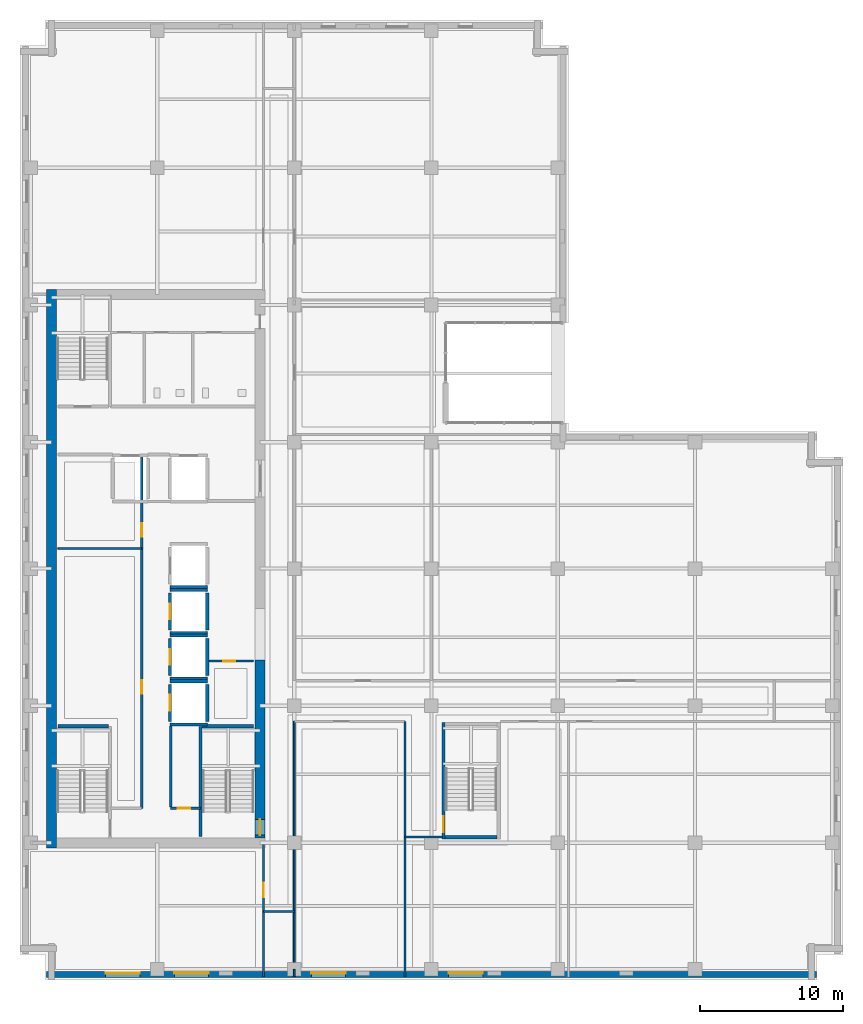
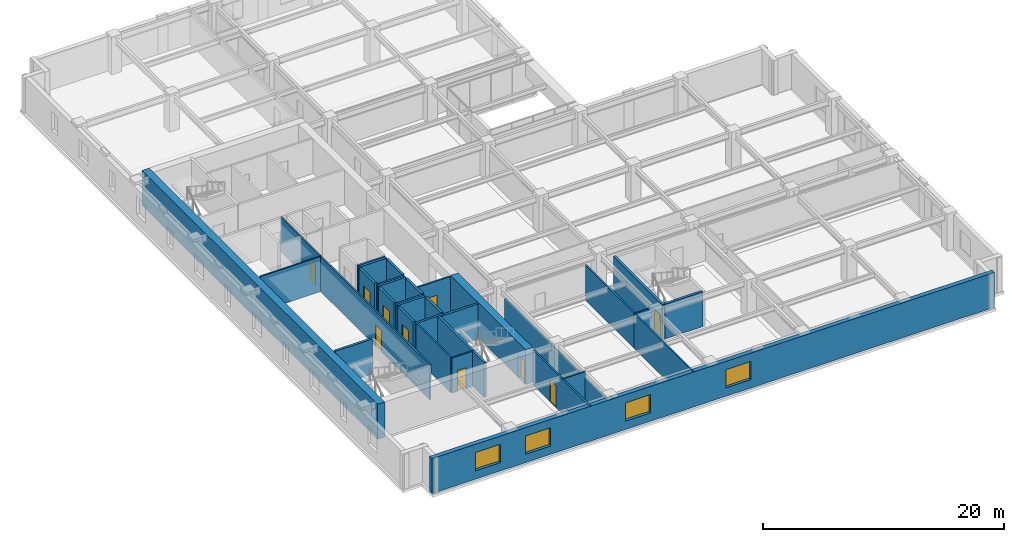
# One storey, part 4 of 13: 33 walls, 10 doors, 4 windows, 14 openings.
"""IFC4 building model written with IfcOpenShell, lengths in metres."""

import ifcopenshell
import ifcopenshell.guid

model = None  # the IFC model being written
_history = None  # IfcOwnerHistory: only IFC2X3 demands one
_inside = {}  # id of a spatial element -> (the spatial element, [elements in it])
_under = {}  # id of a project, library or spatial element -> (it, [spatial elements below it])
_declared = {}  # id of a project -> (the project, [libraries it declares])
_typed = {}  # id of a type object -> (the type object, [elements of that type])
_made_of = {}  # id of a material, layer set ... -> (it, [elements and type objects made of it])


def new_model(schema):
    """Start an empty IFC model of exactly this schema.

    Asked for "IFC4X3", IfcOpenShell would pick the latest addendum, in which some entities
    have other attributes; the version numbers below select the first issue.
    IFC2X3 requires an IfcOwnerHistory on every rooted entity: one is made here for all.
    """
    global model, _history
    if schema == "IFC4X3":
        model = ifcopenshell.file(schema_version=(4, 3, 0, 0))
    else:
        model = ifcopenshell.file(schema=schema)
    _inside.clear()
    _under.clear()
    _declared.clear()
    _typed.clear()
    _made_of.clear()
    _history = None
    if model.schema == "IFC2X3":
        org = make("IfcOrganization", Name="unknown")
        user = make(
            "IfcPersonAndOrganization",
            ThePerson=make("IfcPerson", FamilyName="unknown"),
            TheOrganization=org,
        )
        app = make(
            "IfcApplication",
            ApplicationDeveloper=org,
            Version="unknown",
            ApplicationFullName="unknown",
            ApplicationIdentifier="unknown",
        )
        _history = make(
            "IfcOwnerHistory",
            OwningUser=user,
            OwningApplication=app,
            ChangeAction="ADDED",
            CreationDate=0,
        )
    return model


def make(cls, **values):
    """One entity of the class cls with the attributes given. An attribute that is None is left unset."""
    return model.create_entity(
        cls, **{name: value for name, value in values.items() if value is not None}
    )


def rooted(cls, **values):
    """An entity with a GlobalId (a new one), such as an element, a storey or a relation."""
    return make(cls, GlobalId=ifcopenshell.guid.new(), OwnerHistory=_history, **values)


def si_unit(unit_type, name, prefix=None):
    """IfcSIUnit, for example si_unit("LENGTHUNIT", "METRE", prefix="MILLI")."""
    return make("IfcSIUnit", UnitType=unit_type, Prefix=prefix, Name=name)


def assignment(units):
    """IfcUnitAssignment: the units of a project."""
    return None if units is None else make("IfcUnitAssignment", Units=units)


def point(xyz):
    """IfcCartesianPoint."""
    return None if xyz is None else make("IfcCartesianPoint", Coordinates=xyz)


def direction(xyz):
    """IfcDirection."""
    return None if xyz is None else make("IfcDirection", DirectionRatios=xyz)


def frame(location, z_axis=None, x_axis=None):
    """IfcAxis2Placement3D, a coordinate frame: its origin and axes. An axis left out is left unset."""
    return make(
        "IfcAxis2Placement3D",
        Location=point(location),
        Axis=direction(z_axis),
        RefDirection=direction(x_axis),
    )


def frame_2d(location, x_axis=None):
    """IfcAxis2Placement2D, a coordinate frame in the plane: its origin and x axis."""
    return make(
        "IfcAxis2Placement2D", Location=point(location), RefDirection=direction(x_axis)
    )


def origin():
    """The frame at (0, 0, 0) with its axes left unset."""
    return frame((0.0, 0.0, 0.0))


def place(relative_to, where):
    """IfcLocalPlacement: puts the frame where relative to a parent placement (None: the world)."""
    return make(
        "IfcLocalPlacement", PlacementRelTo=relative_to, RelativePlacement=where
    )


def context(
    kind, dimensions, precision=None, world=None, true_north=None, identifier=None
):
    """IfcGeometricRepresentationContext, for example the 3D "Model" context."""
    return make(
        "IfcGeometricRepresentationContext",
        ContextIdentifier=identifier,
        ContextType=kind,
        CoordinateSpaceDimension=dimensions,
        Precision=precision,
        WorldCoordinateSystem=world,
        TrueNorth=true_north,
    )


def subcontext(parent, identifier, kind, view, scale=None):
    """IfcGeometricRepresentationSubContext, for example "Body" below "Model"."""
    return make(
        "IfcGeometricRepresentationSubContext",
        ContextIdentifier=identifier,
        ContextType=kind,
        ParentContext=parent,
        TargetScale=scale,
        TargetView=view,
    )


def project(units=None, contexts=None):
    """IfcProject with its units and contexts."""
    return rooted(
        "IfcProject",
        Name="project",
        RepresentationContexts=contexts,
        UnitsInContext=assignment(units),
    )


def spatial(cls, under=None, at=None, **own):
    """A site, building, storey or space (cls), placed at a placement, below another one or the project."""
    s = rooted(cls, ObjectPlacement=at, **own)
    if under is not None:
        _under.setdefault(under.id(), (under, []))[1].append(s)
    return s


def profile(cls, at=None, kind="AREA", **sizes):
    """A parametric profile (cls). Its sizes go by their IFC names, for example OverallWidth=200.0."""
    return make(cls, ProfileType=kind, Position=at, **sizes)


def rectangle(**sizes):
    """IfcRectangleProfileDef."""
    return profile("IfcRectangleProfileDef", **sizes)


def extrude(swept, where, along, depth):
    """IfcExtrudedAreaSolid: the profile swept, set in the frame where, extruded along a direction by depth."""
    return make(
        "IfcExtrudedAreaSolid",
        SweptArea=swept,
        Position=where,
        ExtrudedDirection=direction(along),
        Depth=depth,
    )


def shape(context_of_items, identifier, shape_type, items):
    """IfcShapeRepresentation: the items that make up one representation, for example the "Body"."""
    return make(
        "IfcShapeRepresentation",
        ContextOfItems=context_of_items,
        RepresentationIdentifier=identifier,
        RepresentationType=shape_type,
        Items=items,
    )


def material(Name=None, Category=None):
    """IfcMaterial."""
    return make("IfcMaterial", Name=Name, Category=Category)


def layer(
    of_material, thickness, ventilated=None, Name=None, Category=None, Priority=None
):
    """IfcMaterialLayer: one layer of a wall or slab, of a material (None: an air gap)."""
    return make(
        "IfcMaterialLayer",
        Material=of_material,
        LayerThickness=thickness,
        IsVentilated=ventilated,
        Name=Name,
        Category=Category,
        Priority=Priority,
    )


def layer_set(layers, Name=None):
    """IfcMaterialLayerSet."""
    return make("IfcMaterialLayerSet", MaterialLayers=layers, LayerSetName=Name)


def made_of(thing, what):
    """Note that an element or type object is made of a material, layer set ...; save() writes the relation."""
    if what is not None:
        _made_of.setdefault(what.id(), (what, []))[1].append(thing)
    return thing


def type_object(cls, material=None, **own):
    """A type object (cls), such as IfcWallType, which elements share."""
    return made_of(rooted(cls, **own), material)


def element(
    cls,
    number,
    at=None,
    inside=None,
    cuts=None,
    type_object=None,
    material=None,
    context=None,
    identifier="Body",
    shape_type=None,
    held_by="IfcProductDefinitionShape",
    body=None,
    shapes=None,
    **own,
):
    """One element of the class cls, such as IfcWall. Its Tag is "e" and its number.

    at: its placement. inside: the storey or other place that contains it. cuts: it is an
    opening in that element (IfcRelVoidsElement). A single representation is given by context,
    identifier, shape_type and body (its items); several are given by shapes. held_by: the class
    of the entity that holds the representations. save() writes the other relations.
    """
    e = rooted(cls, Tag="e%d" % number, ObjectPlacement=at, **own)
    if body is not None:
        shapes = [shape(context, identifier, shape_type, body)]
    if shapes is not None:
        e.Representation = make(held_by, Representations=shapes)
    if inside is not None:
        _inside.setdefault(inside.id(), (inside, []))[1].append(e)
    if cuts is not None:
        rooted(
            "IfcRelVoidsElement", RelatingBuildingElement=cuts, RelatedOpeningElement=e
        )
    if type_object is not None:
        _typed.setdefault(type_object.id(), (type_object, []))[1].append(e)
    return made_of(e, material)


def fill(opening, filler):
    """IfcRelFillsElement: the door or window that sits in an opening."""
    return rooted(
        "IfcRelFillsElement",
        RelatingOpeningElement=opening,
        RelatedBuildingElement=filler,
    )


def aggregate(whole, parts):
    """IfcRelAggregates: a whole, such as a stair, and the parts it consists of."""
    return rooted("IfcRelAggregates", RelatingObject=whole, RelatedObjects=parts)


def save(model, path):
    """Write the relations noted so far, then the file.

    IfcRelAggregates (storeys below a building ...), IfcRelContainedInSpatialStructure (elements
    in a storey), IfcRelDefinesByType, IfcRelAssociatesMaterial and IfcRelDeclares: one each for
    every whole, place, type object, material and project.
    """
    for whole, parts in _under.values():
        aggregate(whole, parts)
    for where, things in _inside.values():
        rooted(
            "IfcRelContainedInSpatialStructure",
            RelatedElements=things,
            RelatingStructure=where,
        )
    for kind, things in _typed.values():
        rooted("IfcRelDefinesByType", RelatedObjects=things, RelatingType=kind)
    for what, things in _made_of.values():
        rooted("IfcRelAssociatesMaterial", RelatedObjects=things, RelatingMaterial=what)
    for by, libraries in _declared.values():
        rooted("IfcRelDeclares", RelatingContext=by, RelatedDefinitions=libraries)
    model.write(path)


model = new_model("IFC4")

# Units and contexts
model_context = context("Model", 3, precision=1e-05, world=origin(), true_north=direction((0.0, 1.0)))
body_context = subcontext(model_context, "Body", "Model", "MODEL_VIEW")
ifc_project = project(units=[si_unit("LENGTHUNIT", "METRE"), si_unit("AREAUNIT", "SQUARE_METRE"), si_unit("VOLUMEUNIT", "CUBIC_METRE"), si_unit("PLANEANGLEUNIT", "RADIAN"), si_unit("MASSUNIT", "GRAM", prefix="KILO")], contexts=[model_context])

# Site, building, storey
site_placement = place(None, origin())
site = spatial("IfcSite", under=ifc_project, at=site_placement, CompositionType="ELEMENT")
building_placement = place(site_placement, origin())
building = spatial("IfcBuilding", under=site, at=building_placement, Name="Norrvale University Quadrangle", CompositionType="ELEMENT")
storey_placement = place(building_placement, frame((0.0, 0.0, 171.199951171875)))
storey = spatial("IfcBuildingStorey", under=building, at=storey_placement, Name="L43", CompositionType="ELEMENT", Elevation=171.199951171875)

# Wall, openings, windows
ifc_material_1 = material(Name="Buff Norman Clay Brick Masonry", Category="masonry")
ifc_layer_1 = layer(ifc_material_1, 0.419921875, Name="Buff Norman Clay Brick Masonry")
ifc_layer_set_1 = layer_set([ifc_layer_1], Name="Buff Norman Clay Brick Masonry")
wall_type_1 = type_object("IfcWallType", Name="Wall Buff Brick 420", PredefinedType="SOLIDWALL", material=ifc_layer_set_1)
wall_1_placement = place(storey_placement, frame((1.840087890625, 0.389892578125, 0.0), z_axis=(0.0, 0.0, 1.0), x_axis=(1.0, 0.0, 0.0)))
wall_1 = element("IfcWall", 1, at=wall_1_placement, inside=storey, type_object=wall_type_1, Name="Exterior Brick Facade Wall L43-01.1", PredefinedType="SOLIDWALL", context=body_context, shape_type="SweptSolid", body=[
    extrude(rectangle(XDim=53.919921875, YDim=0.419921875, at=frame_2d((26.9599609375, 0.0))), origin(), (0.0, 0.0, 1.0), 3.5400390625),
])
opening_1_placement = place(wall_1_placement, frame((4.159912109375, 0.0, 0.85009765625)))
opening_1 = element("IfcOpeningElement", 2, at=opening_1_placement, cuts=wall_1, Name="Opening W02", PredefinedType="OPENING", context=body_context, shape_type="SweptSolid", body=[
    extrude(rectangle(XDim=2.39990234375, YDim=1.85009765625, at=frame_2d((1.199951171875, 0.925048828125))), frame((0.0, 0.221923828125, 0.0), z_axis=(0.0, -1.0, 0.0), x_axis=(1.0, 0.0, 0.0)), (0.0, 0.0, 1.0), 0.44384765625),
])
opening_2_placement = place(wall_1_placement, frame((8.9599609375, 0.0, 0.85009765625)))
opening_2 = element("IfcOpeningElement", 3, at=opening_2_placement, cuts=wall_1, Name="Opening W02", PredefinedType="OPENING", context=body_context, shape_type="SweptSolid", body=[
    extrude(rectangle(XDim=2.39990234375, YDim=1.85009765625, at=frame_2d((1.199951171875, 0.925048828125))), frame((0.0, 0.221923828125, 0.0), z_axis=(0.0, -1.0, 0.0), x_axis=(1.0, 0.0, 0.0)), (0.0, 0.0, 1.0), 0.44384765625),
])
opening_3_placement = place(wall_1_placement, frame((18.56005859375, 0.0, 0.85009765625)))
opening_3 = element("IfcOpeningElement", 4, at=opening_3_placement, cuts=wall_1, Name="Opening W02", PredefinedType="OPENING", context=body_context, shape_type="SweptSolid", body=[
    extrude(rectangle(XDim=2.39990234375, YDim=1.85009765625, at=frame_2d((1.199951171875, 0.925048828125))), frame((0.0, 0.221923828125, 0.0), z_axis=(0.0, -1.0, 0.0), x_axis=(1.0, 0.0, 0.0)), (0.0, 0.0, 1.0), 0.44384765625),
])
opening_4_placement = place(wall_1_placement, frame((28.159912109375, 0.0, 0.85009765625)))
opening_4 = element("IfcOpeningElement", 5, at=opening_4_placement, cuts=wall_1, Name="Opening W02", PredefinedType="OPENING", context=body_context, shape_type="SweptSolid", body=[
    extrude(rectangle(XDim=2.39990234375, YDim=1.85009765625, at=frame_2d((1.199951171875, 0.925048828125))), frame((0.0, 0.221923828125, 0.0), z_axis=(0.0, -1.0, 0.0), x_axis=(1.0, 0.0, 0.0)), (0.0, 0.0, 1.0), 0.44384765625),
])
ifc_material_2 = material(Name="Triple Low-E Argon Glazing", Category="glass")
window_type = type_object("IfcWindowType", Name="Window Academic 2400x2300", PartitioningType="TRIPLE_PANEL_VERTICAL", PredefinedType="WINDOW", material=ifc_material_2)
window_1_placement = place(opening_1_placement, origin())
window_1 = element("IfcWindow", 6, at=window_1_placement, inside=storey, type_object=window_type, Name="Window Academic 2400x2300 WIN-L43-E01-1-01", OverallHeight=1.85009765625, OverallWidth=2.39990234375, PartitioningType="TRIPLE_PANEL_VERTICAL", PredefinedType="WINDOW", context=body_context, shape_type="SweptSolid", body=[
    extrude(rectangle(XDim=2.39990234375, YDim=1.85009765625, at=frame_2d((1.199951171875, 0.925048828125))), frame((0.0, 0.110107421875, 0.0), z_axis=(0.0, -1.0, 0.0), x_axis=(1.0, 0.0, 0.0)), (0.0, 0.0, 1.0), 0.06005859375),
])
fill(opening_1, window_1)
window_2_placement = place(opening_2_placement, origin())
window_2 = element("IfcWindow", 7, at=window_2_placement, inside=storey, type_object=window_type, Name="Window Academic 2400x2300 WIN-L43-E01-1-02", OverallHeight=1.85009765625, OverallWidth=2.39990234375, PartitioningType="TRIPLE_PANEL_VERTICAL", PredefinedType="WINDOW", context=body_context, shape_type="SweptSolid", body=[
    extrude(rectangle(XDim=2.39990234375, YDim=1.85009765625, at=frame_2d((1.199951171875, 0.925048828125))), frame((0.0, 0.110107421875, 0.0), z_axis=(0.0, -1.0, 0.0), x_axis=(1.0, 0.0, 0.0)), (0.0, 0.0, 1.0), 0.06005859375),
])
fill(opening_2, window_2)
window_3_placement = place(opening_3_placement, origin())
window_3 = element("IfcWindow", 8, at=window_3_placement, inside=storey, type_object=window_type, Name="Window Academic 2400x2300 WIN-L43-E01-1-03", OverallHeight=1.85009765625, OverallWidth=2.39990234375, PartitioningType="TRIPLE_PANEL_VERTICAL", PredefinedType="WINDOW", context=body_context, shape_type="SweptSolid", body=[
    extrude(rectangle(XDim=2.39990234375, YDim=1.85009765625, at=frame_2d((1.199951171875, 0.925048828125))), frame((0.0, 0.110107421875, 0.0), z_axis=(0.0, -1.0, 0.0), x_axis=(1.0, 0.0, 0.0)), (0.0, 0.0, 1.0), 0.06005859375),
])
fill(opening_3, window_3)
window_4_placement = place(opening_4_placement, origin())
window_4 = element("IfcWindow", 9, at=window_4_placement, inside=storey, type_object=window_type, Name="Window Academic 2400x2300 WIN-L43-E01-1-04", OverallHeight=1.85009765625, OverallWidth=2.39990234375, PartitioningType="TRIPLE_PANEL_VERTICAL", PredefinedType="WINDOW", context=body_context, shape_type="SweptSolid", body=[
    extrude(rectangle(XDim=2.39990234375, YDim=1.85009765625, at=frame_2d((1.199951171875, 0.925048828125))), frame((0.0, 0.110107421875, 0.0), z_axis=(0.0, -1.0, 0.0), x_axis=(1.0, 0.0, 0.0)), (0.0, 0.0, 1.0), 0.06005859375),
])
fill(opening_4, window_4)

# Wall
ifc_material_3 = material(Name="Concrete C60/75", Category="concrete")
ifc_layer_2 = layer(ifc_material_3, 0.699951171875, Name="Concrete C60/75")
ifc_layer_set_2 = layer_set([ifc_layer_2], Name="Concrete C60/75")
wall_type_2 = type_object("IfcWallType", Name="Wall Core 700", PredefinedType="SHEAR", material=ifc_layer_set_2)
wall_2_placement = place(storey_placement, frame((2.199951171875, 9.25, 0.0), z_axis=(0.0, 0.0, 1.0), x_axis=(0.0, 1.0, 0.0)))
element("IfcWall", 10, at=wall_2_placement, inside=storey, type_object=wall_type_2, Name="Tower Core Shear Wall L43-W", PredefinedType="SHEAR", context=body_context, shape_type="SweptSolid", body=[
    extrude(rectangle(XDim=39.10009765625, YDim=0.699951171875, at=frame_2d((19.550048828125, 0.0))), origin(), (0.0, 0.0, 1.0), 3.5400390625),
])

# Wall, opening, door
wall_3_placement = place(storey_placement, frame((16.800048828125, 9.949951171875, 0.0), z_axis=(0.0, 0.0, 1.0), x_axis=(0.0, 1.0, 0.0)))
wall_3 = element("IfcWall", 11, at=wall_3_placement, inside=storey, type_object=wall_type_2, Name="Tower Core Shear Wall L43-E1", PredefinedType="SHEAR", context=body_context, shape_type="SweptSolid", body=[
    extrude(rectangle(XDim=12.449951171875, YDim=0.699951171875, at=frame_2d((6.22509765625, 0.0))), origin(), (0.0, 0.0, 1.0), 3.5400390625),
])
opening_5_placement = place(wall_3_placement, frame((0.18994140625, 0.0, 0.0)))
opening_5 = element("IfcOpeningElement", 12, at=opening_5_placement, cuts=wall_3, Name="Opening D02", PredefinedType="OPENING", context=body_context, shape_type="SweptSolid", body=[
    extrude(rectangle(XDim=1.10009765625, YDim=2.199951171875, at=frame_2d((0.550048828125, 1.10009765625))), frame((0.0, 0.362060546875, 0.0), z_axis=(0.0, -1.0, 0.0), x_axis=(1.0, 0.0, 0.0)), (0.0, 0.0, 1.0), 0.723876953125),
])
ifc_material_4 = material(Name="Hollow Steel 350W Fire Door", Category="steel")
door_type_1 = type_object("IfcDoorType", Name="Door Stair Exit 1100x2200", OperationType="NOTDEFINED", PredefinedType="DOOR", material=ifc_material_4)
door_1_placement = place(opening_5_placement, origin())
door_1 = element("IfcDoor", 13, at=door_1_placement, inside=storey, type_object=door_type_1, Name="Door Stair Exit 1100x2200 DR-L43-ST03", OperationType="SINGLE_SWING_LEFT", OverallHeight=2.199951171875, OverallWidth=1.10009765625, PredefinedType="DOOR", context=body_context, shape_type="SweptSolid", body=[
    extrude(rectangle(XDim=1.10009765625, YDim=2.199951171875, at=frame_2d((0.550048828125, 1.10009765625))), frame((0.0, 0.02490234375, 0.0), z_axis=(0.0, -1.0, 0.0), x_axis=(1.0, 0.0, 0.0)), (0.0, 0.0, 1.0), 0.050048828125),
])
fill(opening_5, door_1)

# Walls
ifc_material_5 = material(Name="Standard Academic Gypsum Partition")
ifc_layer_3 = layer(ifc_material_5, 0.125, Name="Standard Academic Gypsum Partition")
ifc_layer_set_3 = layer_set([ifc_layer_3], Name="Standard Academic Gypsum Partition")
wall_type_3 = type_object("IfcWallType", Name="Wall Gypsum Academic 125", PredefinedType="PARTITIONING", material=ifc_layer_set_3)
wall_4_placement = place(storey_placement, frame((2.64990234375, 30.199951171875, 0.0), z_axis=(0.0, 0.0, 1.0), x_axis=(1.0, 0.0, 0.0)))
element("IfcWall", 14, at=wall_4_placement, inside=storey, type_object=wall_type_3, Name="Interior Partition WL-L43-REC-M", PredefinedType="PARTITIONING", context=body_context, shape_type="SweptSolid", body=[
    extrude(rectangle(XDim=5.8701171875, YDim=0.125, at=frame_2d((2.93505859375, 0.0))), origin(), (0.0, 0.0, 1.0), 3.5400390625),
])
wall_5_placement = place(storey_placement, frame((19.199951171875, 0.219970703125, 0.0), z_axis=(0.0, 0.0, 1.0), x_axis=(0.0, 1.0, 0.0)))
element("IfcWall", 15, at=wall_5_placement, inside=storey, type_object=wall_type_3, Name="Interior Partition WL-L43-SE-W0", PredefinedType="PARTITIONING", context=body_context, shape_type="SweptSolid", body=[
    extrude(rectangle(XDim=0.530029296875, YDim=0.125, at=frame_2d((0.26513671875, 0.0))), origin(), (0.0, 0.0, 1.0), 3.5400390625),
])
wall_6_placement = place(storey_placement, frame((19.199951171875, 0.75, 0.0), z_axis=(0.0, 0.0, 1.0), x_axis=(0.0, 1.0, 0.0)))
element("IfcWall", 16, at=wall_6_placement, inside=storey, type_object=wall_type_3, Name="Interior Partition WL-L43-SE-W0-B2", PredefinedType="PARTITIONING", context=body_context, shape_type="SweptSolid", body=[
    extrude(rectangle(XDim=17.35009765625, YDim=0.125, at=frame_2d((8.675048828125, 0.0))), origin(), (0.0, 0.0, 1.0), 2.923095703125),
])
wall_7_placement = place(storey_placement, frame((26.949951171875, 0.219970703125, 0.0), z_axis=(0.0, 0.0, 1.0), x_axis=(0.0, 1.0, 0.0)))
element("IfcWall", 17, at=wall_7_placement, inside=storey, type_object=wall_type_3, Name="Interior Partition WL-L43-SEP1A", PredefinedType="PARTITIONING", context=body_context, shape_type="SweptSolid", body=[
    extrude(rectangle(XDim=9.780029296875, YDim=0.125, at=frame_2d((4.89013671875, 0.0))), origin(), (0.0, 0.0, 1.0), 3.5400390625),
])

# Wall, opening, door
ifc_material_6 = material(Name="Fire-Rated Gypsum Stud Partition")
ifc_layer_4 = layer(ifc_material_6, 0.14990234375, Name="Fire-Rated Gypsum Stud Partition")
ifc_layer_set_4 = layer_set([ifc_layer_4], Name="Fire-Rated Gypsum Stud Partition")
wall_type_4 = type_object("IfcWallType", Name="Wall Gypsum Corridor 150", PredefinedType="PARTITIONING", material=ifc_layer_set_4)
wall_8_placement = place(storey_placement, frame((10.550048828125, 12.02001953125, 0.0), z_axis=(0.0, 0.0, 1.0), x_axis=(1.0, 0.0, 0.0)))
wall_8 = element("IfcWall", 18, at=wall_8_placement, inside=storey, type_object=wall_type_4, Name="Interior Partition WL-L43-SC-NR", PredefinedType="PARTITIONING", context=body_context, shape_type="SweptSolid", body=[
    extrude(rectangle(XDim=2.079833984375, YDim=0.14990234375, at=frame_2d((1.0400390625, 0.0))), origin(), (0.0, 0.0, 1.0), 3.5400390625),
])
opening_6_placement = place(wall_8_placement, frame((0.5, 0.0, 0.0)))
opening_6 = element("IfcOpeningElement", 19, at=opening_6_placement, cuts=wall_8, Name="Opening D10", PredefinedType="OPENING", context=body_context, shape_type="SweptSolid", body=[
    extrude(rectangle(XDim=0.85009765625, YDim=2.10009765625, at=frame_2d((0.425048828125, 1.050048828125))), frame((0.0, 0.0869140625, 0.0), z_axis=(0.0, -1.0, 0.0), x_axis=(1.0, 0.0, 0.0)), (0.0, 0.0, 1.0), 0.173828125),
])
ifc_material_7 = material(Name="Hollow Steel 350W Riser Fire Door", Category="steel")
door_type_2 = type_object("IfcDoorType", Name="Door Riser 850x2100", OperationType="NOTDEFINED", PredefinedType="DOOR", material=ifc_material_7)
door_2_placement = place(opening_6_placement, origin())
door_2 = element("IfcDoor", 20, at=door_2_placement, inside=storey, type_object=door_type_2, Name="Door Riser 850x2100 DR-L43-IDF", OperationType="SINGLE_SWING_RIGHT", OverallHeight=2.10009765625, OverallWidth=0.85009765625, PredefinedType="DOOR", context=body_context, shape_type="SweptSolid", body=[
    extrude(rectangle(XDim=0.85009765625, YDim=2.10009765625, at=frame_2d((0.425048828125, 1.050048828125))), frame((0.0, 0.02490234375, 0.0), z_axis=(0.0, -1.0, 0.0), x_axis=(1.0, 0.0, 0.0)), (0.0, 0.0, 1.0), 0.050048828125),
])
fill(opening_6, door_2)

# Wall
wall_9_placement = place(storey_placement, frame((10.550048828125, 12.094970703125, 0.0), z_axis=(0.0, 0.0, 1.0), x_axis=(0.0, 1.0, 0.0)))
element("IfcWall", 21, at=wall_9_placement, inside=storey, type_object=wall_type_4, Name="Interior Partition WL-L43-SC-WR", PredefinedType="PARTITIONING", context=body_context, shape_type="SweptSolid", body=[
    extrude(rectangle(XDim=5.679931640625, YDim=0.14990234375, at=frame_2d((2.83984375, 0.0))), origin(), (0.0, 0.0, 1.0), 3.5400390625),
])

# Wall, opening, door
wall_10_placement = place(storey_placement, frame((13.22509765625, 22.320068359375, 0.0), z_axis=(0.0, 0.0, 1.0), x_axis=(1.0, 0.0, 0.0)))
wall_10 = element("IfcWall", 22, at=wall_10_placement, inside=storey, type_object=wall_type_4, Name="Interior Partition WL-L43-JAN-N", PredefinedType="PARTITIONING", context=body_context, shape_type="SweptSolid", body=[
    extrude(rectangle(XDim=3.119873046875, YDim=0.14990234375, at=frame_2d((1.56005859375, 0.0))), origin(), (0.0, 0.0, 1.0), 3.5400390625),
])
opening_7_placement = place(wall_10_placement, frame((1.0, 0.0, 0.0)))
opening_7 = element("IfcOpeningElement", 23, at=opening_7_placement, cuts=wall_10, Name="Opening D10", PredefinedType="OPENING", context=body_context, shape_type="SweptSolid", body=[
    extrude(rectangle(XDim=0.85009765625, YDim=2.10009765625, at=frame_2d((0.425048828125, 1.050048828125))), frame((0.0, 0.0869140625, 0.0), z_axis=(0.0, -1.0, 0.0), x_axis=(1.0, 0.0, 0.0)), (0.0, 0.0, 1.0), 0.173828125),
])
door_3_placement = place(opening_7_placement, origin())
door_3 = element("IfcDoor", 24, at=door_3_placement, inside=storey, type_object=door_type_2, Name="Door Riser 850x2100 DR-L43-JAN", OperationType="SINGLE_SWING_LEFT", OverallHeight=2.10009765625, OverallWidth=0.85009765625, PredefinedType="DOOR", context=body_context, shape_type="SweptSolid", body=[
    extrude(rectangle(XDim=0.85009765625, YDim=2.10009765625, at=frame_2d((0.425048828125, 1.050048828125))), frame((0.0, 0.02490234375, 0.0), z_axis=(0.0, -1.0, 0.0), x_axis=(1.0, 0.0, 0.0)), (0.0, 0.0, 1.0), 0.050048828125),
])
fill(opening_7, door_3)

# Wall, openings, doors
wall_11_placement = place(storey_placement, frame((8.52001953125, 12.02001953125, 0.0), z_axis=(0.0, 0.0, 1.0), x_axis=(0.0, 1.0, 0.0)))
wall_11 = element("IfcWall", 25, at=wall_11_placement, inside=storey, type_object=wall_type_4, Name="Interior Partition WL-L43-REC-E", PredefinedType="PARTITIONING", context=body_context, shape_type="SweptSolid", body=[
    extrude(rectangle(XDim=24.760009765625, YDim=0.14990234375, at=frame_2d((12.3798828125, 0.0))), origin(), (0.0, 0.0, 1.0), 3.5400390625),
])
opening_8_placement = place(wall_11_placement, frame((8.0, 0.0, 0.0)))
opening_8 = element("IfcOpeningElement", 26, at=opening_8_placement, cuts=wall_11, Name="Opening D07", PredefinedType="OPENING", context=body_context, shape_type="SweptSolid", body=[
    extrude(rectangle(XDim=0.949951171875, YDim=2.14990234375, at=frame_2d((0.47509765625, 1.074951171875))), frame((0.0, 0.0869140625, 0.0), z_axis=(0.0, -1.0, 0.0), x_axis=(1.0, 0.0, 0.0)), (0.0, 0.0, 1.0), 0.173828125),
])
opening_9_placement = place(wall_11_placement, frame((19.0, 0.0, 0.0)))
opening_9 = element("IfcOpeningElement", 27, at=opening_9_placement, cuts=wall_11, Name="Opening D07", PredefinedType="OPENING", context=body_context, shape_type="SweptSolid", body=[
    extrude(rectangle(XDim=0.949951171875, YDim=2.14990234375, at=frame_2d((0.47509765625, 1.074951171875))), frame((0.0, 0.0869140625, 0.0), z_axis=(0.0, -1.0, 0.0), x_axis=(1.0, 0.0, 0.0)), (0.0, 0.0, 1.0), 0.173828125),
])
ifc_material_8 = material(Name="Solid-Core Maple Door", Category="wood")
door_type_3 = type_object("IfcDoorType", Name="Door Office 950x2150", OperationType="NOTDEFINED", PredefinedType="DOOR", material=ifc_material_8)
door_4_placement = place(opening_8_placement, origin())
door_4 = element("IfcDoor", 28, at=door_4_placement, inside=storey, type_object=door_type_3, Name="Door Office 950x2150 DR-L43-REC1", OperationType="SINGLE_SWING_LEFT", OverallHeight=2.14990234375, OverallWidth=0.949951171875, PredefinedType="DOOR", context=body_context, shape_type="SweptSolid", body=[
    extrude(rectangle(XDim=0.949951171875, YDim=2.14990234375, at=frame_2d((0.47509765625, 1.074951171875))), frame((0.0, 0.02490234375, 0.0), z_axis=(0.0, -1.0, 0.0), x_axis=(1.0, 0.0, 0.0)), (0.0, 0.0, 1.0), 0.050048828125),
])
fill(opening_8, door_4)
door_5_placement = place(opening_9_placement, origin())
door_5 = element("IfcDoor", 29, at=door_5_placement, inside=storey, type_object=door_type_3, Name="Door Office 950x2150 DR-L43-REC2", OperationType="SINGLE_SWING_RIGHT", OverallHeight=2.14990234375, OverallWidth=0.949951171875, PredefinedType="DOOR", context=body_context, shape_type="SweptSolid", body=[
    extrude(rectangle(XDim=0.949951171875, YDim=2.14990234375, at=frame_2d((0.47509765625, 1.074951171875))), frame((0.0, 0.02490234375, 0.0), z_axis=(0.0, -1.0, 0.0), x_axis=(1.0, 0.0, 0.0)), (0.0, 0.0, 1.0), 0.050048828125),
])
fill(opening_9, door_5)

# Wall
wall_12_placement = place(storey_placement, frame((17.050048828125, 4.800048828125, 0.0), z_axis=(0.0, 0.0, 1.0), x_axis=(1.0, 0.0, 0.0)))
element("IfcWall", 30, at=wall_12_placement, inside=storey, type_object=wall_type_4, Name="Interior Partition WL-L43-CSP-S", PredefinedType="PARTITIONING", context=body_context, shape_type="SweptSolid", body=[
    extrude(rectangle(XDim=2.14990234375, YDim=0.14990234375, at=frame_2d((1.074951171875, 0.0))), origin(), (0.0, 0.0, 1.0), 3.5400390625),
])

# Wall, opening, door
wall_13_placement = place(storey_placement, frame((17.050048828125, 0.219970703125, 0.0), z_axis=(0.0, 0.0, 1.0), x_axis=(0.0, 1.0, 0.0)))
wall_13 = element("IfcWall", 31, at=wall_13_placement, inside=storey, type_object=wall_type_4, Name="Interior Partition WL-L43-SW-E", PredefinedType="PARTITIONING", context=body_context, shape_type="SweptSolid", body=[
    extrude(rectangle(XDim=9.380126953125, YDim=0.14990234375, at=frame_2d((4.68994140625, 0.0))), origin(), (0.0, 0.0, 1.0), 3.5400390625),
])
opening_10_placement = place(wall_13_placement, frame((5.580078125, 0.0, 0.0)))
opening_10 = element("IfcOpeningElement", 32, at=opening_10_placement, cuts=wall_13, Name="Opening D04", PredefinedType="OPENING", context=body_context, shape_type="SweptSolid", body=[
    extrude(rectangle(XDim=1.0, YDim=2.199951171875, at=frame_2d((0.5, 1.10009765625))), frame((0.0, 0.0869140625, 0.0), z_axis=(0.0, -1.0, 0.0), x_axis=(1.0, 0.0, 0.0)), (0.0, 0.0, 1.0), 0.173828125),
])
ifc_material_9 = material(Name="Solid-Core Oak Fire Door", Category="wood")
door_type_4 = type_object("IfcDoorType", Name="Door Corridor 1000x2200", OperationType="NOTDEFINED", PredefinedType="DOOR", material=ifc_material_9)
door_6_placement = place(opening_10_placement, origin())
door_6 = element("IfcDoor", 33, at=door_6_placement, inside=storey, type_object=door_type_4, Name="Door Corridor 1000x2200 DR-L43-SW1", OperationType="SINGLE_SWING_LEFT", OverallHeight=2.199951171875, OverallWidth=1.0, PredefinedType="DOOR", context=body_context, shape_type="SweptSolid", body=[
    extrude(rectangle(XDim=1.0, YDim=2.199951171875, at=frame_2d((0.5, 1.10009765625))), frame((0.0, 0.02490234375, 0.0), z_axis=(0.0, -1.0, 0.0), x_axis=(1.0, 0.0, 0.0)), (0.0, 0.0, 1.0), 0.050048828125),
])
fill(opening_10, door_6)

# Walls
wall_14_placement = place(storey_placement, frame((26.949951171875, 10.0, 0.0), z_axis=(0.0, 0.0, 1.0), x_axis=(0.0, 1.0, 0.0)))
element("IfcWall", 34, at=wall_14_placement, inside=storey, type_object=wall_type_4, Name="Interior Partition WL-L43-SEP1B", PredefinedType="PARTITIONING", context=body_context, shape_type="SweptSolid", body=[
    extrude(rectangle(XDim=8.10009765625, YDim=0.14990234375, at=frame_2d((4.050048828125, 0.0))), origin(), (0.0, 0.0, 1.0), 3.5400390625),
])
wall_15_placement = place(storey_placement, frame((26.949951171875, 10.0, 0.0), z_axis=(0.0, 0.0, 1.0), x_axis=(1.0, 0.0, 0.0)))
element("IfcWall", 35, at=wall_15_placement, inside=storey, type_object=wall_type_4, Name="Interior Partition WL-L43-SEP1C", PredefinedType="PARTITIONING", context=body_context, shape_type="SweptSolid", body=[
    extrude(rectangle(XDim=2.630126953125, YDim=0.14990234375, at=frame_2d((1.31494140625, 0.0))), origin(), (0.0, 0.0, 1.0), 3.5400390625),
])
ifc_material_10 = material(Name="Concrete Blockwork 20 MPa Fire Shaft", Category="masonry")
ifc_layer_5 = layer(ifc_material_10, 0.219970703125, Name="Concrete Blockwork 20 MPa Fire Shaft")
ifc_layer_set_5 = layer_set([ifc_layer_5], Name="Concrete Blockwork 20 MPa Fire Shaft")
wall_type_5 = type_object("IfcWallType", Name="Wall Shaft 220", PredefinedType="SOLIDWALL", material=ifc_layer_set_5)
wall_16_placement = place(storey_placement, frame((2.64990234375, 17.760009765625, 0.0), z_axis=(0.0, 0.0, 1.0), x_axis=(1.0, 0.0, 0.0)))
element("IfcWall", 36, at=wall_16_placement, inside=storey, type_object=wall_type_5, Name="Stair ST-01 North Shaft Wall L43", PredefinedType="SOLIDWALL", context=body_context, shape_type="SweptSolid", body=[
    extrude(rectangle(XDim=3.550048828125, YDim=0.219970703125, at=frame_2d((1.77490234375, 0.0))), origin(), (0.0, 0.0, 1.0), 3.5400390625),
])
wall_17_placement = place(storey_placement, frame((12.639892578125, 10.050048828125, 0.0), z_axis=(0.0, 0.0, 1.0), x_axis=(0.0, 1.0, 0.0)))
element("IfcWall", 37, at=wall_17_placement, inside=storey, type_object=wall_type_5, Name="Stair ST-03 West Shaft Wall L43", PredefinedType="SOLIDWALL", context=body_context, shape_type="SweptSolid", body=[
    extrude(rectangle(XDim=7.7099609375, YDim=0.219970703125, at=frame_2d((3.85498046875, 0.0))), origin(), (0.0, 0.0, 1.0), 3.5400390625),
])
wall_18_placement = place(storey_placement, frame((12.75, 17.760009765625, 0.0), z_axis=(0.0, 0.0, 1.0), x_axis=(1.0, 0.0, 0.0)))
element("IfcWall", 38, at=wall_18_placement, inside=storey, type_object=wall_type_5, Name="Stair ST-03 North Shaft Wall L43", PredefinedType="SOLIDWALL", context=body_context, shape_type="SweptSolid", body=[
    extrude(rectangle(XDim=3.60009765625, YDim=0.219970703125, at=frame_2d((1.800048828125, 0.0))), origin(), (0.0, 0.0, 1.0), 3.5400390625),
])
wall_19_placement = place(storey_placement, frame((29.75, 9.989990234375, 0.0), z_axis=(0.0, 0.0, 1.0), x_axis=(1.0, 0.0, 0.0)))
element("IfcWall", 39, at=wall_19_placement, inside=storey, type_object=wall_type_5, Name="Stair ST-04 South Shaft Wall L43", PredefinedType="SOLIDWALL", context=body_context, shape_type="SweptSolid", body=[
    extrude(rectangle(XDim=3.64990234375, YDim=0.219970703125, at=frame_2d((1.824951171875, 0.0))), origin(), (0.0, 0.0, 1.0), 3.5400390625),
])

# Wall, opening, door
wall_20_placement = place(storey_placement, frame((29.639892578125, 9.8798828125, 0.0), z_axis=(0.0, 0.0, 1.0), x_axis=(0.0, 1.0, 0.0)))
wall_20 = element("IfcWall", 40, at=wall_20_placement, inside=storey, type_object=wall_type_5, Name="Stair ST-04 West Shaft Wall L43", PredefinedType="SOLIDWALL", context=body_context, shape_type="SweptSolid", body=[
    extrude(rectangle(XDim=8.14013671875, YDim=0.219970703125, at=frame_2d((4.070068359375, 0.0))), origin(), (0.0, 0.0, 1.0), 3.5400390625),
])
opening_11_placement = place(wall_20_placement, frame((0.469970703125, 0.0, 0.0)))
opening_11 = element("IfcOpeningElement", 41, at=opening_11_placement, cuts=wall_20, Name="Opening D02", PredefinedType="OPENING", context=body_context, shape_type="SweptSolid", body=[
    extrude(rectangle(XDim=1.10009765625, YDim=2.199951171875, at=frame_2d((0.550048828125, 1.10009765625))), frame((0.0, 0.1220703125, 0.0), z_axis=(0.0, -1.0, 0.0), x_axis=(1.0, 0.0, 0.0)), (0.0, 0.0, 1.0), 0.243896484375),
])
door_7_placement = place(opening_11_placement, frame((1.10009765625, 0.0, 0.0), z_axis=(0.0, 0.0, 1.0), x_axis=(-1.0, 0.0, 0.0)))
door_7 = element("IfcDoor", 42, at=door_7_placement, inside=storey, type_object=door_type_1, Name="Door Stair Exit 1100x2200 DR-L43-ST04", OperationType="SINGLE_SWING_RIGHT", OverallHeight=2.199951171875, OverallWidth=1.10009765625, PredefinedType="DOOR", context=body_context, shape_type="SweptSolid", body=[
    extrude(rectangle(XDim=1.10009765625, YDim=2.199951171875, at=frame_2d((0.550048828125, 1.10009765625))), frame((0.0, 0.02490234375, 0.0), z_axis=(0.0, -1.0, 0.0), x_axis=(1.0, 0.0, 0.0)), (0.0, 0.0, 1.0), 0.050048828125),
])
fill(opening_11, door_7)

wall_21_placement = place(storey_placement, frame((10.489990234375, 18.110107421875, 0.0), z_axis=(0.0, 0.0, 1.0), x_axis=(0.0, 1.0, 0.0)))
wall_21 = element("IfcWall", 43, at=wall_21_placement, inside=storey, type_object=wall_type_5, Name="Hoistway PL-05 West Wall L43", PredefinedType="SOLIDWALL", context=body_context, shape_type="SweptSolid", body=[
    extrude(rectangle(XDim=2.579833984375, YDim=0.219970703125, at=frame_2d((1.2900390625, 0.0))), origin(), (0.0, 0.0, 1.0), 3.5400390625),
])
opening_12_placement = place(wall_21_placement, frame((0.739990234375, 0.0, 0.0)))
opening_12 = element("IfcOpeningElement", 44, at=opening_12_placement, cuts=wall_21, Name="Opening LD1", PredefinedType="OPENING", context=body_context, shape_type="SweptSolid", body=[
    extrude(rectangle(XDim=1.10009765625, YDim=2.199951171875, at=frame_2d((0.550048828125, 1.10009765625))), frame((0.0, 0.1220703125, 0.0), z_axis=(0.0, -1.0, 0.0), x_axis=(1.0, 0.0, 0.0)), (0.0, 0.0, 1.0), 0.243896484375),
])
ifc_material_11 = material(Name="Stainless Steel 316L Lift Landing Door", Category="steel")
door_type_5 = type_object("IfcDoorType", Name="Door Lift Landing 1100x2200", OperationType="DOUBLE_DOOR_SLIDING", PredefinedType="DOOR", material=ifc_material_11)
door_8_placement = place(opening_12_placement, origin())
door_8 = element("IfcDoor", 45, at=door_8_placement, inside=storey, type_object=door_type_5, Name="Elevator Landing Door DR-L43-PL-05", OperationType="DOUBLE_DOOR_SLIDING", OverallHeight=2.199951171875, OverallWidth=1.10009765625, PredefinedType="DOOR", context=body_context, shape_type="SweptSolid", body=[
    extrude(rectangle(XDim=1.10009765625, YDim=2.199951171875, at=frame_2d((0.550048828125, 1.10009765625))), frame((0.0, 0.02490234375, 0.0), z_axis=(0.0, -1.0, 0.0), x_axis=(1.0, 0.0, 0.0)), (0.0, 0.0, 1.0), 0.050048828125),
])
fill(opening_12, door_8)

# Walls
wall_22_placement = place(storey_placement, frame((13.110107421875, 18.110107421875, 0.0), z_axis=(0.0, 0.0, 1.0), x_axis=(0.0, 1.0, 0.0)))
element("IfcWall", 46, at=wall_22_placement, inside=storey, type_object=wall_type_5, Name="Hoistway PL-05 East Wall L43", PredefinedType="SOLIDWALL", context=body_context, shape_type="SweptSolid", body=[
    extrude(rectangle(XDim=2.579833984375, YDim=0.219970703125, at=frame_2d((1.2900390625, 0.0))), origin(), (0.0, 0.0, 1.0), 3.5400390625),
])
for number, where, z_axis, x_axis, name in (
    (47, (10.489990234375, 17.889892578125, 0.0), (0.0, 0.0, 1.0), (1.0, 0.0, 0.0), "Hoistway PL-05 South Wall L43"),
    (48, (10.489990234375, 20.909912109375, 0.0), (0.0, 0.0, 1.0), (1.0, 0.0, 0.0), "Hoistway PL-05 North Wall L43"),
):
    element("IfcWall", number, at=place(storey_placement, frame(where, z_axis=z_axis, x_axis=x_axis)), inside=storey, type_object=wall_type_5, Name=name, PredefinedType="SOLIDWALL", context=body_context, shape_type="SweptSolid", body=[
        extrude(rectangle(XDim=2.6201171875, YDim=0.219970703125, at=frame_2d((1.31005859375, 0.0))), origin(), (0.0, 0.0, 1.0), 3.5400390625),
    ])

# Wall, opening, door
wall_23_placement = place(storey_placement, frame((10.489990234375, 21.31005859375, 0.0), z_axis=(0.0, 0.0, 1.0), x_axis=(0.0, 1.0, 0.0)))
wall_23 = element("IfcWall", 49, at=wall_23_placement, inside=storey, type_object=wall_type_5, Name="Hoistway PL-06 West Wall L43", PredefinedType="SOLIDWALL", context=body_context, shape_type="SweptSolid", body=[
    extrude(rectangle(XDim=2.579833984375, YDim=0.219970703125, at=frame_2d((1.2900390625, 0.0))), origin(), (0.0, 0.0, 1.0), 3.5400390625),
])
opening_13_placement = place(wall_23_placement, frame((0.739990234375, 0.0, 0.0)))
opening_13 = element("IfcOpeningElement", 50, at=opening_13_placement, cuts=wall_23, Name="Opening LD1", PredefinedType="OPENING", context=body_context, shape_type="SweptSolid", body=[
    extrude(rectangle(XDim=1.10009765625, YDim=2.199951171875, at=frame_2d((0.550048828125, 1.10009765625))), frame((0.0, 0.1220703125, 0.0), z_axis=(0.0, -1.0, 0.0), x_axis=(1.0, 0.0, 0.0)), (0.0, 0.0, 1.0), 0.243896484375),
])
door_9_placement = place(opening_13_placement, origin())
door_9 = element("IfcDoor", 51, at=door_9_placement, inside=storey, type_object=door_type_5, Name="Elevator Landing Door DR-L43-PL-06", OperationType="DOUBLE_DOOR_SLIDING", OverallHeight=2.199951171875, OverallWidth=1.10009765625, PredefinedType="DOOR", context=body_context, shape_type="SweptSolid", body=[
    extrude(rectangle(XDim=1.10009765625, YDim=2.199951171875, at=frame_2d((0.550048828125, 1.10009765625))), frame((0.0, 0.02490234375, 0.0), z_axis=(0.0, -1.0, 0.0), x_axis=(1.0, 0.0, 0.0)), (0.0, 0.0, 1.0), 0.050048828125),
])
fill(opening_13, door_9)

# Walls
wall_24_placement = place(storey_placement, frame((13.110107421875, 21.31005859375, 0.0), z_axis=(0.0, 0.0, 1.0), x_axis=(0.0, 1.0, 0.0)))
element("IfcWall", 52, at=wall_24_placement, inside=storey, type_object=wall_type_5, Name="Hoistway PL-06 East Wall L43", PredefinedType="SOLIDWALL", context=body_context, shape_type="SweptSolid", body=[
    extrude(rectangle(XDim=2.579833984375, YDim=0.219970703125, at=frame_2d((1.2900390625, 0.0))), origin(), (0.0, 0.0, 1.0), 3.5400390625),
])
for number, where, z_axis, x_axis, name in (
    (53, (10.489990234375, 21.090087890625, 0.0), (0.0, 0.0, 1.0), (1.0, 0.0, 0.0), "Hoistway PL-06 South Wall L43"),
    (54, (10.489990234375, 24.110107421875, 0.0), (0.0, 0.0, 1.0), (1.0, 0.0, 0.0), "Hoistway PL-06 North Wall L43"),
):
    element("IfcWall", number, at=place(storey_placement, frame(where, z_axis=z_axis, x_axis=x_axis)), inside=storey, type_object=wall_type_5, Name=name, PredefinedType="SOLIDWALL", context=body_context, shape_type="SweptSolid", body=[
        extrude(rectangle(XDim=2.6201171875, YDim=0.219970703125, at=frame_2d((1.31005859375, 0.0))), origin(), (0.0, 0.0, 1.0), 3.5400390625),
    ])

# Wall, opening, door
wall_25_placement = place(storey_placement, frame((10.489990234375, 24.510009765625, 0.0), z_axis=(0.0, 0.0, 1.0), x_axis=(0.0, 1.0, 0.0)))
wall_25 = element("IfcWall", 55, at=wall_25_placement, inside=storey, type_object=wall_type_5, Name="Hoistway PL-07 West Wall L43", PredefinedType="SOLIDWALL", context=body_context, shape_type="SweptSolid", body=[
    extrude(rectangle(XDim=2.580078125, YDim=0.219970703125, at=frame_2d((1.2900390625, 0.0))), origin(), (0.0, 0.0, 1.0), 3.5400390625),
])
opening_14_placement = place(wall_25_placement, frame((0.739990234375, 0.0, 0.0)))
opening_14 = element("IfcOpeningElement", 56, at=opening_14_placement, cuts=wall_25, Name="Opening LD1", PredefinedType="OPENING", context=body_context, shape_type="SweptSolid", body=[
    extrude(rectangle(XDim=1.10009765625, YDim=2.199951171875, at=frame_2d((0.550048828125, 1.10009765625))), frame((0.0, 0.1220703125, 0.0), z_axis=(0.0, -1.0, 0.0), x_axis=(1.0, 0.0, 0.0)), (0.0, 0.0, 1.0), 0.243896484375),
])
door_10_placement = place(opening_14_placement, origin())
door_10 = element("IfcDoor", 57, at=door_10_placement, inside=storey, type_object=door_type_5, Name="Elevator Landing Door DR-L43-PL-07", OperationType="DOUBLE_DOOR_SLIDING", OverallHeight=2.199951171875, OverallWidth=1.10009765625, PredefinedType="DOOR", context=body_context, shape_type="SweptSolid", body=[
    extrude(rectangle(XDim=1.10009765625, YDim=2.199951171875, at=frame_2d((0.550048828125, 1.10009765625))), frame((0.0, 0.02490234375, 0.0), z_axis=(0.0, -1.0, 0.0), x_axis=(1.0, 0.0, 0.0)), (0.0, 0.0, 1.0), 0.050048828125),
])
fill(opening_14, door_10)

# Walls
wall_26_placement = place(storey_placement, frame((13.110107421875, 24.510009765625, 0.0), z_axis=(0.0, 0.0, 1.0), x_axis=(0.0, 1.0, 0.0)))
element("IfcWall", 58, at=wall_26_placement, inside=storey, type_object=wall_type_5, Name="Hoistway PL-07 East Wall L43", PredefinedType="SOLIDWALL", context=body_context, shape_type="SweptSolid", body=[
    extrude(rectangle(XDim=2.580078125, YDim=0.219970703125, at=frame_2d((1.2900390625, 0.0))), origin(), (0.0, 0.0, 1.0), 3.5400390625),
])
for number, where, z_axis, x_axis, name in (
    (59, (10.489990234375, 24.2900390625, 0.0), (0.0, 0.0, 1.0), (1.0, 0.0, 0.0), "Hoistway PL-07 South Wall L43"),
    (60, (10.489990234375, 27.31005859375, 0.0), (0.0, 0.0, 1.0), (1.0, 0.0, 0.0), "Hoistway PL-07 North Wall L43"),
    (61, (10.489990234375, 27.489990234375, 0.0), (0.0, 0.0, 1.0), (1.0, 0.0, 0.0), "Hoistway PL-08 South Wall L43"),
):
    element("IfcWall", number, at=place(storey_placement, frame(where, z_axis=z_axis, x_axis=x_axis)), inside=storey, type_object=wall_type_5, Name=name, PredefinedType="SOLIDWALL", context=body_context, shape_type="SweptSolid", body=[
        extrude(rectangle(XDim=2.6201171875, YDim=0.219970703125, at=frame_2d((1.31005859375, 0.0))), origin(), (0.0, 0.0, 1.0), 3.5400390625),
    ])

save(model, "model.ifc")
